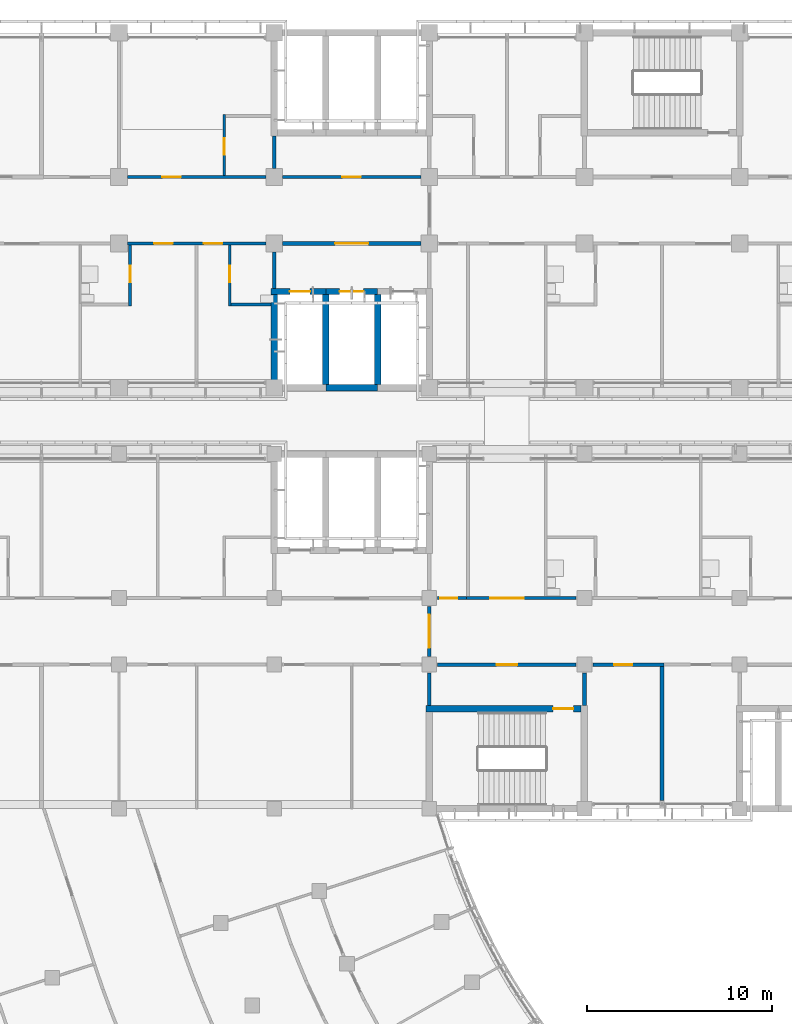
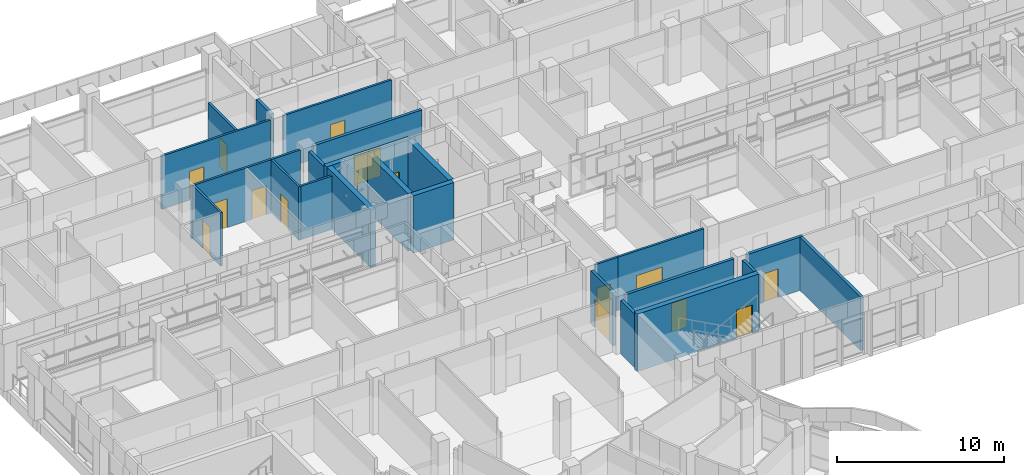
# One storey, part 75 of 137: 25 walls, 16 doors, 16 openings.
"""IFC4 building model written with IfcOpenShell, lengths in metres."""

from ifc_helpers import new_model, si_unit, direction, frame, frame_2d, origin, place, context, subcontext, project, spatial, rectangle, extrude, material, layer, layer_set, type_object, element, fill, save


model = new_model("IFC4")

# Units and contexts
model_context = context("Model", 3, precision=1e-05, world=origin(), true_north=direction((0.0, 1.0)))
body_context = subcontext(model_context, "Body", "Model", "MODEL_VIEW")
ifc_project = project(units=[si_unit("LENGTHUNIT", "METRE"), si_unit("AREAUNIT", "SQUARE_METRE"), si_unit("VOLUMEUNIT", "CUBIC_METRE"), si_unit("PLANEANGLEUNIT", "RADIAN"), si_unit("MASSUNIT", "GRAM", prefix="KILO")], contexts=[model_context])

# Site, building, storey
site_placement = place(None, origin())
site = spatial("IfcSite", under=ifc_project, at=site_placement, CompositionType="ELEMENT")
building_placement = place(site_placement, origin())
building = spatial("IfcBuilding", under=site, at=building_placement, Name="Bougainvillea Quay General Hospital", CompositionType="ELEMENT")
storey_placement = place(building_placement, frame((0.0, 0.0, 16.800048828125)))
storey = spatial("IfcBuildingStorey", under=building, at=storey_placement, Name="L03", CompositionType="ELEMENT", Elevation=16.800048828125)

# Wall, opening, door
ifc_material_1 = material(Name="Gypsum board partition on steel studs, insulated", Category="steel")
ifc_layer_1 = layer(ifc_material_1, 0.14990234375)
ifc_layer_set_1 = layer_set([ifc_layer_1], Name="Gypsum board partition on steel studs, insulated")
wall_type_1 = type_object("IfcWallType", Name="Partition 150 Gypsum board partition", PredefinedType="PARTITIONING", material=ifc_layer_set_1)
wall_1_placement = place(storey_placement, frame((59.39990234375, 144.824951171875, 0.0), z_axis=(0.0, 0.0, 1.0), x_axis=(0.0, 1.0, 0.0)))
wall_1 = element("IfcWall", 1, at=wall_1_placement, inside=storey, type_object=wall_type_1, Name="Partition 150 mm", PredefinedType="PARTITIONING", context=body_context, shape_type="SweptSolid", body=[
    extrude(rectangle(XDim=3.300048828125, YDim=0.14990234375, at=frame_2d((1.64990234375, 0.0))), origin(), (0.0, 0.0, 1.0), 3.89990234375),
])
opening_1_placement = place(wall_1_placement, frame((1.27490234375, 0.0, 0.0)))
opening_1 = element("IfcOpeningElement", 2, at=opening_1_placement, cuts=wall_1, Name="Opening L03.010", PredefinedType="OPENING", context=body_context, shape_type="SweptSolid", body=[
    extrude(rectangle(XDim=0.89990234375, YDim=2.10009765625, at=frame_2d((0.449951171875, 1.050048828125))), frame((0.0, 0.0849609375, 0.0), z_axis=(0.0, -1.0, 0.0), x_axis=(1.0, 0.0, 0.0)), (0.0, 0.0, 1.0), 0.169921875),
])
ifc_material_2 = material(Name="Solid-core timber door leaf in steel frame", Category="steel")
door_type_1 = type_object("IfcDoorType", Name="Single leaf door 900x2100", OperationType="NOTDEFINED", PredefinedType="DOOR", material=ifc_material_2)
door_1_placement = place(opening_1_placement, origin())
door_1 = element("IfcDoor", 3, at=door_1_placement, inside=storey, type_object=door_type_1, Name="DT07 L03.010", OperationType="SINGLE_SWING_RIGHT", OverallHeight=2.10009765625, OverallWidth=0.89990234375, PredefinedType="DOOR", context=body_context, shape_type="SweptSolid", body=[
    extrude(rectangle(XDim=0.89990234375, YDim=2.10009765625, at=frame_2d((0.449951171875, 1.050048828125))), frame((0.0, 0.02490234375, 0.0), z_axis=(0.0, -1.0, 0.0), x_axis=(1.0, 0.0, 0.0)), (0.0, 0.0, 1.0), 0.050048828125),
])
fill(opening_1, door_1)

wall_2_placement = place(storey_placement, frame((64.5, 151.875, 0.0), z_axis=(0.0, 0.0, 1.0), x_axis=(0.0, 1.0, 0.0)))
wall_2 = element("IfcWall", 4, at=wall_2_placement, inside=storey, type_object=wall_type_1, Name="Partition 150 mm", PredefinedType="PARTITIONING", context=body_context, shape_type="SweptSolid", body=[
    extrude(rectangle(XDim=3.300048828125, YDim=0.14990234375, at=frame_2d((1.64990234375, 0.0))), origin(), (0.0, 0.0, 1.0), 3.89990234375),
])
opening_2_placement = place(wall_2_placement, frame((1.125, 0.0, 0.0)))
opening_2 = element("IfcOpeningElement", 5, at=opening_2_placement, cuts=wall_2, Name="Opening L03.015", PredefinedType="OPENING", context=body_context, shape_type="SweptSolid", body=[
    extrude(rectangle(XDim=0.89990234375, YDim=2.10009765625, at=frame_2d((0.449951171875, 1.050048828125))), frame((0.0, 0.0849609375, 0.0), z_axis=(0.0, -1.0, 0.0), x_axis=(1.0, 0.0, 0.0)), (0.0, 0.0, 1.0), 0.169921875),
])
door_2_placement = place(opening_2_placement, frame((0.89990234375, 0.0, 0.0), z_axis=(0.0, 0.0, 1.0), x_axis=(-1.0, 0.0, 0.0)))
door_2 = element("IfcDoor", 6, at=door_2_placement, inside=storey, type_object=door_type_1, Name="DT07 L03.015", OperationType="SINGLE_SWING_RIGHT", OverallHeight=2.10009765625, OverallWidth=0.89990234375, PredefinedType="DOOR", context=body_context, shape_type="SweptSolid", body=[
    extrude(rectangle(XDim=0.89990234375, YDim=2.10009765625, at=frame_2d((0.449951171875, 1.050048828125))), frame((0.0, 0.02490234375, 0.0), z_axis=(0.0, -1.0, 0.0), x_axis=(1.0, 0.0, 0.0)), (0.0, 0.0, 1.0), 0.050048828125),
])
fill(opening_2, door_2)

wall_3_placement = place(storey_placement, frame((64.800048828125, 144.824951171875, 0.0), z_axis=(0.0, 0.0, 1.0), x_axis=(0.0, 1.0, 0.0)))
wall_3 = element("IfcWall", 7, at=wall_3_placement, inside=storey, type_object=wall_type_1, Name="Partition 150 mm", PredefinedType="PARTITIONING", context=body_context, shape_type="SweptSolid", body=[
    extrude(rectangle(XDim=3.300048828125, YDim=0.14990234375, at=frame_2d((1.64990234375, 0.0))), origin(), (0.0, 0.0, 1.0), 3.89990234375),
])
opening_3_placement = place(wall_3_placement, frame((1.27490234375, 0.0, 0.0)))
opening_3 = element("IfcOpeningElement", 8, at=opening_3_placement, cuts=wall_3, Name="Opening L03.012", PredefinedType="OPENING", context=body_context, shape_type="SweptSolid", body=[
    extrude(rectangle(XDim=0.89990234375, YDim=2.10009765625, at=frame_2d((0.449951171875, 1.050048828125))), frame((0.0, 0.0849609375, 0.0), z_axis=(0.0, -1.0, 0.0), x_axis=(1.0, 0.0, 0.0)), (0.0, 0.0, 1.0), 0.169921875),
])
door_3_placement = place(opening_3_placement, frame((0.89990234375, 0.0, 0.0), z_axis=(0.0, 0.0, 1.0), x_axis=(-1.0, 0.0, 0.0)))
door_3 = element("IfcDoor", 9, at=door_3_placement, inside=storey, type_object=door_type_1, Name="DT07 L03.012", OperationType="SINGLE_SWING_LEFT", OverallHeight=2.10009765625, OverallWidth=0.89990234375, PredefinedType="DOOR", context=body_context, shape_type="SweptSolid", body=[
    extrude(rectangle(XDim=0.89990234375, YDim=2.10009765625, at=frame_2d((0.449951171875, 1.050048828125))), frame((0.0, 0.02490234375, 0.0), z_axis=(0.0, -1.0, 0.0), x_axis=(1.0, 0.0, 0.0)), (0.0, 0.0, 1.0), 0.050048828125),
])
fill(opening_3, door_3)

# Wall
wall_4_placement = place(storey_placement, frame((64.875, 144.89990234375, 0.0), z_axis=(0.0, 0.0, 1.0), x_axis=(1.0, 0.0, 0.0)))
element("IfcWall", 10, at=wall_4_placement, inside=storey, type_object=wall_type_1, Name="Partition 150 mm", PredefinedType="PARTITIONING", context=body_context, shape_type="SweptSolid", body=[
    extrude(rectangle(XDim=2.14990234375, YDim=0.14990234375, at=frame_2d((1.074951171875, 0.0))), origin(), (0.0, 0.0, 1.0), 3.89990234375),
])

# Wall, opening, door
ifc_layer_2 = layer(ifc_material_1, 0.14990234375)
ifc_layer_set_2 = layer_set([ifc_layer_2], Name="Gypsum board partition on steel studs, insulated")
wall_type_2 = type_object("IfcWallType", Name="Partition 150 Gypsum board partition EI 30", PredefinedType="PARTITIONING", material=ifc_layer_set_2)
wall_5_placement = place(storey_placement, frame((83.550048828125, 129.0, 0.0), z_axis=(0.0, 0.0, 1.0), x_axis=(-1.0, 0.0, 0.0)))
wall_5 = element("IfcWall", 11, at=wall_5_placement, inside=storey, type_object=wall_type_2, Name="Partition 150 mm EI 30", PredefinedType="PARTITIONING", context=body_context, shape_type="SweptSolid", body=[
    extrude(rectangle(XDim=5.925048828125, YDim=0.14990234375, at=frame_2d((2.96240234375, 0.0))), origin(), (0.0, 0.0, 1.0), 3.89990234375),
])
opening_4_placement = place(wall_5_placement, frame((2.85009765625, 0.0, 0.0)))
opening_4 = element("IfcOpeningElement", 12, at=opening_4_placement, cuts=wall_5, Name="Opening L03.131", PredefinedType="OPENING", context=body_context, shape_type="SweptSolid", body=[
    extrude(rectangle(XDim=1.800048828125, YDim=2.10009765625, at=frame_2d((0.89990234375, 1.050048828125))), frame((0.0, 0.0849609375, 0.0), z_axis=(0.0, -1.0, 0.0), x_axis=(1.0, 0.0, 0.0)), (0.0, 0.0, 1.0), 0.169921875),
])
ifc_material_3 = material(Name="Solid-core timber door leaves in steel frame", Category="steel")
door_type_2 = type_object("IfcDoorType", Name="Double leaf door 1800x2100 FD30S", OperationType="DOUBLE_DOOR_SINGLE_SWING", PredefinedType="DOOR", material=ifc_material_3)
door_4_placement = place(opening_4_placement, frame((1.800048828125, 0.0, 0.0), z_axis=(0.0, 0.0, 1.0), x_axis=(-1.0, 0.0, 0.0)))
door_4 = element("IfcDoor", 13, at=door_4_placement, inside=storey, type_object=door_type_2, Name="DT17 L03.131", OperationType="DOUBLE_DOOR_SINGLE_SWING", OverallHeight=2.10009765625, OverallWidth=1.800048828125, PredefinedType="DOOR", context=body_context, shape_type="SweptSolid", body=[
    extrude(rectangle(XDim=1.800048828125, YDim=2.10009765625, at=frame_2d((0.89990234375, 1.050048828125))), frame((0.0, 0.02490234375, 0.0), z_axis=(0.0, -1.0, 0.0), x_axis=(1.0, 0.0, 0.0)), (0.0, 0.0, 1.0), 0.050048828125),
])
fill(opening_4, door_4)

# Wall, openings, doors
wall_6_placement = place(storey_placement, frame((66.75, 148.199951171875, 0.0), z_axis=(0.0, 0.0, 1.0), x_axis=(-1.0, 0.0, 0.0)))
wall_6 = element("IfcWall", 14, at=wall_6_placement, inside=storey, type_object=wall_type_2, Name="Partition 150 mm EI 30", PredefinedType="PARTITIONING", context=body_context, shape_type="SweptSolid", body=[
    extrude(rectangle(XDim=7.5, YDim=0.14990234375, at=frame_2d((3.75, 0.0))), origin(), (0.0, 0.0, 1.0), 3.89990234375),
])
opening_5_placement = place(wall_6_placement, frame((5.050048828125, 0.0, 0.0)))
opening_5 = element("IfcOpeningElement", 15, at=opening_5_placement, cuts=wall_6, Name="Opening L03.009", PredefinedType="OPENING", context=body_context, shape_type="SweptSolid", body=[
    extrude(rectangle(XDim=1.0, YDim=2.10009765625, at=frame_2d((0.5, 1.050048828125))), frame((0.0, 0.0849609375, 0.0), z_axis=(0.0, -1.0, 0.0), x_axis=(1.0, 0.0, 0.0)), (0.0, 0.0, 1.0), 0.169921875),
])
opening_6_placement = place(wall_6_placement, frame((2.35009765625, 0.0, 0.0)))
opening_6 = element("IfcOpeningElement", 16, at=opening_6_placement, cuts=wall_6, Name="Opening L03.011", PredefinedType="OPENING", context=body_context, shape_type="SweptSolid", body=[
    extrude(rectangle(XDim=1.0, YDim=2.10009765625, at=frame_2d((0.5, 1.050048828125))), frame((0.0, 0.0849609375, 0.0), z_axis=(0.0, -1.0, 0.0), x_axis=(1.0, 0.0, 0.0)), (0.0, 0.0, 1.0), 0.169921875),
])
door_type_3 = type_object("IfcDoorType", Name="Single leaf door 1000x2100 FD30S", OperationType="NOTDEFINED", PredefinedType="DOOR", material=ifc_material_2)
door_5_placement = place(opening_5_placement, origin())
door_5 = element("IfcDoor", 17, at=door_5_placement, inside=storey, type_object=door_type_3, Name="DT15 L03.009", OperationType="SINGLE_SWING_RIGHT", OverallHeight=2.10009765625, OverallWidth=1.0, PredefinedType="DOOR", context=body_context, shape_type="SweptSolid", body=[
    extrude(rectangle(XDim=1.0, YDim=2.10009765625, at=frame_2d((0.5, 1.050048828125))), frame((0.0, 0.02490234375, 0.0), z_axis=(0.0, -1.0, 0.0), x_axis=(1.0, 0.0, 0.0)), (0.0, 0.0, 1.0), 0.050048828125),
])
fill(opening_5, door_5)
door_6_placement = place(opening_6_placement, origin())
door_6 = element("IfcDoor", 18, at=door_6_placement, inside=storey, type_object=door_type_3, Name="DT15 L03.011", OperationType="SINGLE_SWING_LEFT", OverallHeight=2.10009765625, OverallWidth=1.0, PredefinedType="DOOR", context=body_context, shape_type="SweptSolid", body=[
    extrude(rectangle(XDim=1.0, YDim=2.10009765625, at=frame_2d((0.5, 1.050048828125))), frame((0.0, 0.02490234375, 0.0), z_axis=(0.0, -1.0, 0.0), x_axis=(1.0, 0.0, 0.0)), (0.0, 0.0, 1.0), 0.050048828125),
])
fill(opening_6, door_6)

# Wall, opening, door
wall_7_placement = place(storey_placement, frame((59.25, 151.800048828125, 0.0), z_axis=(0.0, 0.0, 1.0), x_axis=(1.0, 0.0, 0.0)))
wall_7 = element("IfcWall", 19, at=wall_7_placement, inside=storey, type_object=wall_type_2, Name="Partition 150 mm EI 30", PredefinedType="PARTITIONING", context=body_context, shape_type="SweptSolid", body=[
    extrude(rectangle(XDim=7.5, YDim=0.14990234375, at=frame_2d((3.75, 0.0))), origin(), (0.0, 0.0, 1.0), 3.89990234375),
])
opening_7_placement = place(wall_7_placement, frame((1.89990234375, 0.0, 0.0)))
opening_7 = element("IfcOpeningElement", 20, at=opening_7_placement, cuts=wall_7, Name="Opening L03.014", PredefinedType="OPENING", context=body_context, shape_type="SweptSolid", body=[
    extrude(rectangle(XDim=1.0, YDim=2.10009765625, at=frame_2d((0.5, 1.050048828125))), frame((0.0, 0.0849609375, 0.0), z_axis=(0.0, -1.0, 0.0), x_axis=(1.0, 0.0, 0.0)), (0.0, 0.0, 1.0), 0.169921875),
])
door_7_placement = place(opening_7_placement, origin())
door_7 = element("IfcDoor", 21, at=door_7_placement, inside=storey, type_object=door_type_3, Name="DT15 L03.014", OperationType="SINGLE_SWING_LEFT", OverallHeight=2.10009765625, OverallWidth=1.0, PredefinedType="DOOR", context=body_context, shape_type="SweptSolid", body=[
    extrude(rectangle(XDim=1.0, YDim=2.10009765625, at=frame_2d((0.5, 1.050048828125))), frame((0.0, 0.02490234375, 0.0), z_axis=(0.0, -1.0, 0.0), x_axis=(1.0, 0.0, 0.0)), (0.0, 0.0, 1.0), 0.050048828125),
])
fill(opening_7, door_7)

ifc_layer_3 = layer(ifc_material_1, 0.14990234375)
ifc_layer_set_3 = layer_set([ifc_layer_3], Name="Gypsum board partition on steel studs, insulated")
wall_type_3 = type_object("IfcWallType", Name="Partition 150 Gypsum board partition EI 60", PredefinedType="PARTITIONING", material=ifc_layer_set_3)
wall_8_placement = place(storey_placement, frame((67.64990234375, 151.800048828125, 0.0), z_axis=(0.0, 0.0, 1.0), x_axis=(1.0, 0.0, 0.0)))
wall_8 = element("IfcWall", 22, at=wall_8_placement, inside=storey, type_object=wall_type_3, Name="Partition 150 mm EI 60", PredefinedType="PARTITIONING", context=body_context, shape_type="SweptSolid", body=[
    extrude(rectangle(XDim=7.5, YDim=0.14990234375, at=frame_2d((3.75, 0.0))), origin(), (0.0, 0.0, 1.0), 3.89990234375),
])
opening_8_placement = place(wall_8_placement, frame((3.25, 0.0, 0.0)))
opening_8 = element("IfcOpeningElement", 23, at=opening_8_placement, cuts=wall_8, Name="Opening L03.074", PredefinedType="OPENING", context=body_context, shape_type="SweptSolid", body=[
    extrude(rectangle(XDim=1.0, YDim=2.10009765625, at=frame_2d((0.5, 1.050048828125))), frame((0.0, 0.0849609375, 0.0), z_axis=(0.0, -1.0, 0.0), x_axis=(1.0, 0.0, 0.0)), (0.0, 0.0, 1.0), 0.169921875),
])
ifc_material_4 = material(Name="Steel fire door leaf in steel frame", Category="steel")
door_type_4 = type_object("IfcDoorType", Name="Steel single leaf door 1000x2100 FD60", OperationType="NOTDEFINED", PredefinedType="DOOR", material=ifc_material_4)
door_8_placement = place(opening_8_placement, origin())
door_8 = element("IfcDoor", 24, at=door_8_placement, inside=storey, type_object=door_type_4, Name="DT10 L03.074", OperationType="SINGLE_SWING_LEFT", OverallHeight=2.10009765625, OverallWidth=1.0, PredefinedType="DOOR", context=body_context, shape_type="SweptSolid", body=[
    extrude(rectangle(XDim=1.0, YDim=2.10009765625, at=frame_2d((0.5, 1.050048828125))), frame((0.0, 0.02490234375, 0.0), z_axis=(0.0, -1.0, 0.0), x_axis=(1.0, 0.0, 0.0)), (0.0, 0.0, 1.0), 0.050048828125),
])
fill(opening_8, door_8)

wall_9_placement = place(storey_placement, frame((76.050048828125, 129.0, 0.0), z_axis=(0.0, 0.0, 1.0), x_axis=(1.0, 0.0, 0.0)))
wall_9 = element("IfcWall", 25, at=wall_9_placement, inside=storey, type_object=wall_type_3, Name="Partition 150 mm EI 60", PredefinedType="PARTITIONING", context=body_context, shape_type="SweptSolid", body=[
    extrude(rectangle(XDim=1.574951171875, YDim=0.14990234375, at=frame_2d((0.78759765625, 0.0))), origin(), (0.0, 0.0, 1.0), 3.89990234375),
])
opening_9_placement = place(wall_9_placement, frame((0.14990234375, 0.0, 0.0)))
opening_9 = element("IfcOpeningElement", 26, at=opening_9_placement, cuts=wall_9, Name="Opening L03.089", PredefinedType="OPENING", context=body_context, shape_type="SweptSolid", body=[
    extrude(rectangle(XDim=0.89990234375, YDim=2.10009765625, at=frame_2d((0.449951171875, 1.050048828125))), frame((0.0, 0.0849609375, 0.0), z_axis=(0.0, -1.0, 0.0), x_axis=(1.0, 0.0, 0.0)), (0.0, 0.0, 1.0), 0.169921875),
])
door_type_5 = type_object("IfcDoorType", Name="Single leaf door 900x2100 FD60", OperationType="NOTDEFINED", PredefinedType="DOOR", material=ifc_material_2)
door_9_placement = place(opening_9_placement, origin())
door_9 = element("IfcDoor", 27, at=door_9_placement, inside=storey, type_object=door_type_5, Name="DT18 L03.089", OperationType="SINGLE_SWING_LEFT", OverallHeight=2.10009765625, OverallWidth=0.89990234375, PredefinedType="DOOR", context=body_context, shape_type="SweptSolid", body=[
    extrude(rectangle(XDim=0.89990234375, YDim=2.10009765625, at=frame_2d((0.449951171875, 1.050048828125))), frame((0.0, 0.02490234375, 0.0), z_axis=(0.0, -1.0, 0.0), x_axis=(1.0, 0.0, 0.0)), (0.0, 0.0, 1.0), 0.050048828125),
])
fill(opening_9, door_9)

ifc_material_5 = material(Name="Fire-rated autoclaved aerated block wall, plastered")
ifc_layer_4 = layer(ifc_material_5, 0.199951171875)
ifc_layer_set_4 = layer_set([ifc_layer_4], Name="Fire-rated autoclaved aerated block wall, plastered")
wall_type_4 = type_object("IfcWallType", Name="Partition 200 Fire-rated autoclaved aerated block wall EI 120", PredefinedType="SOLIDWALL", material=ifc_layer_set_4)
wall_10_placement = place(storey_placement, frame((75.60009765625, 128.550048828125, 0.0), z_axis=(0.0, 0.0, 1.0), x_axis=(0.0, -1.0, 0.0)))
wall_10 = element("IfcWall", 28, at=wall_10_placement, inside=storey, type_object=wall_type_4, Name="Partition 200 mm EI 120", PredefinedType="SOLIDWALL", context=body_context, shape_type="SweptSolid", body=[
    extrude(rectangle(XDim=2.699951171875, YDim=0.199951171875, at=frame_2d((1.35009765625, 0.0))), origin(), (0.0, 0.0, 1.0), 3.89990234375),
])
opening_10_placement = place(wall_10_placement, frame((0.449951171875, 0.0, 0.0)))
opening_10 = element("IfcOpeningElement", 29, at=opening_10_placement, cuts=wall_10, Name="Opening L03.075", PredefinedType="OPENING", context=body_context, shape_type="SweptSolid", body=[
    extrude(rectangle(XDim=1.800048828125, YDim=2.10009765625, at=frame_2d((0.89990234375, 1.050048828125))), frame((0.0, 0.10986328125, 0.0), z_axis=(0.0, -1.0, 0.0), x_axis=(1.0, 0.0, 0.0)), (0.0, 0.0, 1.0), 0.219970703125),
])
ifc_material_6 = material(Name="Steel fire door leaves in steel frame", Category="steel")
door_type_6 = type_object("IfcDoorType", Name="Steel double leaf door 1800x2100 FD90", OperationType="DOUBLE_DOOR_SINGLE_SWING", PredefinedType="DOOR", material=ifc_material_6)
door_10_placement = place(opening_10_placement, origin())
door_10 = element("IfcDoor", 30, at=door_10_placement, inside=storey, type_object=door_type_6, Name="DT03 L03.075", OperationType="DOUBLE_DOOR_SINGLE_SWING", OverallHeight=2.10009765625, OverallWidth=1.800048828125, PredefinedType="DOOR", context=body_context, shape_type="SweptSolid", body=[
    extrude(rectangle(XDim=1.800048828125, YDim=2.10009765625, at=frame_2d((0.89990234375, 1.050048828125))), frame((0.0, 0.02490234375, 0.0), z_axis=(0.0, -1.0, 0.0), x_axis=(1.0, 0.0, 0.0)), (0.0, 0.0, 1.0), 0.050048828125),
])
fill(opening_10, door_10)

# Wall
wall_11_placement = place(storey_placement, frame((75.60009765625, 124.949951171875, 0.0), z_axis=(0.0, 0.0, 1.0), x_axis=(0.0, -1.0, 0.0)))
element("IfcWall", 31, at=wall_11_placement, inside=storey, type_object=wall_type_4, Name="Partition 200 mm EI 120", PredefinedType="SOLIDWALL", context=body_context, shape_type="SweptSolid", body=[
    extrude(rectangle(XDim=1.77490234375, YDim=0.199951171875, at=frame_2d((0.887451171875, 0.0))), origin(), (0.0, 0.0, 1.0), 3.89990234375),
])

# Wall, opening, door
wall_12_placement = place(storey_placement, frame((76.050048828125, 125.39990234375, 0.0), z_axis=(0.0, 0.0, 1.0), x_axis=(1.0, 0.0, 0.0)))
wall_12 = element("IfcWall", 32, at=wall_12_placement, inside=storey, type_object=wall_type_4, Name="Partition 200 mm EI 120", PredefinedType="SOLIDWALL", context=body_context, shape_type="SweptSolid", body=[
    extrude(rectangle(XDim=7.5, YDim=0.199951171875, at=frame_2d((3.75, 0.0))), origin(), (0.0, 0.0, 1.0), 3.89990234375),
])
opening_11_placement = place(wall_12_placement, frame((3.199951171875, 0.0, 0.0)))
opening_11 = element("IfcOpeningElement", 33, at=opening_11_placement, cuts=wall_12, Name="Opening L03.208", PredefinedType="OPENING", context=body_context, shape_type="SweptSolid", body=[
    extrude(rectangle(XDim=1.10009765625, YDim=2.10009765625, at=frame_2d((0.550048828125, 1.050048828125))), frame((0.0, 0.10986328125, 0.0), z_axis=(0.0, -1.0, 0.0), x_axis=(1.0, 0.0, 0.0)), (0.0, 0.0, 1.0), 0.219970703125),
])
door_type_7 = type_object("IfcDoorType", Name="Steel single leaf door 1100x2100 FD60", OperationType="NOTDEFINED", PredefinedType="DOOR", material=ifc_material_4)
door_11_placement = place(opening_11_placement, frame((1.10009765625, 0.0, 0.0), z_axis=(0.0, 0.0, 1.0), x_axis=(-1.0, 0.0, 0.0)))
door_11 = element("IfcDoor", 34, at=door_11_placement, inside=storey, type_object=door_type_7, Name="DT04 L03.208", OperationType="SINGLE_SWING_LEFT", OverallHeight=2.10009765625, OverallWidth=1.10009765625, PredefinedType="DOOR", context=body_context, shape_type="SweptSolid", body=[
    extrude(rectangle(XDim=1.10009765625, YDim=2.10009765625, at=frame_2d((0.550048828125, 1.050048828125))), frame((0.0, 0.02490234375, 0.0), z_axis=(0.0, -1.0, 0.0), x_axis=(1.0, 0.0, 0.0)), (0.0, 0.0, 1.0), 0.050048828125),
])
fill(opening_11, door_11)

wall_13_placement = place(storey_placement, frame((84.449951171875, 125.39990234375, 0.0), z_axis=(0.0, 0.0, 1.0), x_axis=(1.0, 0.0, 0.0)))
wall_13 = element("IfcWall", 35, at=wall_13_placement, inside=storey, type_object=wall_type_4, Name="Partition 200 mm EI 120", PredefinedType="SOLIDWALL", context=body_context, shape_type="SweptSolid", body=[
    extrude(rectangle(XDim=3.85009765625, YDim=0.199951171875, at=frame_2d((1.925048828125, 0.0))), origin(), (0.0, 0.0, 1.0), 3.89990234375),
])
opening_12_placement = place(wall_13_placement, frame((1.14990234375, 0.0, 0.0)))
opening_12 = element("IfcOpeningElement", 36, at=opening_12_placement, cuts=wall_13, Name="Opening L03.133", PredefinedType="OPENING", context=body_context, shape_type="SweptSolid", body=[
    extrude(rectangle(XDim=1.0, YDim=2.10009765625, at=frame_2d((0.5, 1.050048828125))), frame((0.0, 0.10986328125, 0.0), z_axis=(0.0, -1.0, 0.0), x_axis=(1.0, 0.0, 0.0)), (0.0, 0.0, 1.0), 0.219970703125),
])
door_type_8 = type_object("IfcDoorType", Name="Steel single leaf door 1000x2100 FD90", OperationType="NOTDEFINED", PredefinedType="DOOR", material=ifc_material_4)
door_12_placement = place(opening_12_placement, frame((1.0, 0.0, 0.0), z_axis=(0.0, 0.0, 1.0), x_axis=(-1.0, 0.0, 0.0)))
door_12 = element("IfcDoor", 37, at=door_12_placement, inside=storey, type_object=door_type_8, Name="DT11 L03.133", OperationType="SINGLE_SWING_RIGHT", OverallHeight=2.10009765625, OverallWidth=1.0, PredefinedType="DOOR", context=body_context, shape_type="SweptSolid", body=[
    extrude(rectangle(XDim=1.0, YDim=2.10009765625, at=frame_2d((0.5, 1.050048828125))), frame((0.0, 0.02490234375, 0.0), z_axis=(0.0, -1.0, 0.0), x_axis=(1.0, 0.0, 0.0)), (0.0, 0.0, 1.0), 0.050048828125),
])
fill(opening_12, door_12)

# Wall
wall_14_placement = place(storey_placement, frame((84.0, 123.175048828125, 0.0), z_axis=(0.0, 0.0, 1.0), x_axis=(0.0, 1.0, 0.0)))
element("IfcWall", 38, at=wall_14_placement, inside=storey, type_object=wall_type_4, Name="Partition 200 mm EI 120", PredefinedType="SOLIDWALL", context=body_context, shape_type="SweptSolid", body=[
    extrude(rectangle(XDim=1.77490234375, YDim=0.199951171875, at=frame_2d((0.887451171875, 0.0))), origin(), (0.0, 0.0, 1.0), 3.89990234375),
])

# Wall, opening, door
wall_15_placement = place(storey_placement, frame((67.64990234375, 148.199951171875, 0.0), z_axis=(0.0, 0.0, 1.0), x_axis=(1.0, 0.0, 0.0)))
wall_15 = element("IfcWall", 39, at=wall_15_placement, inside=storey, type_object=wall_type_4, Name="Partition 200 mm EI 120", PredefinedType="SOLIDWALL", context=body_context, shape_type="SweptSolid", body=[
    extrude(rectangle(XDim=7.5, YDim=0.199951171875, at=frame_2d((3.75, 0.0))), origin(), (0.0, 0.0, 1.0), 3.89990234375),
])
opening_13_placement = place(wall_15_placement, frame((2.85009765625, 0.0, 0.0)))
opening_13 = element("IfcOpeningElement", 40, at=opening_13_placement, cuts=wall_15, Name="Opening L03.071", PredefinedType="OPENING", context=body_context, shape_type="SweptSolid", body=[
    extrude(rectangle(XDim=1.800048828125, YDim=2.10009765625, at=frame_2d((0.89990234375, 1.050048828125))), frame((0.0, 0.10986328125, 0.0), z_axis=(0.0, -1.0, 0.0), x_axis=(1.0, 0.0, 0.0)), (0.0, 0.0, 1.0), 0.219970703125),
])
door_type_9 = type_object("IfcDoorType", Name="Steel double leaf door 1800x2100 FD60", OperationType="DOUBLE_DOOR_SINGLE_SWING", PredefinedType="DOOR", material=ifc_material_6)
door_13_placement = place(opening_13_placement, frame((1.800048828125, 0.0, 0.0), z_axis=(0.0, 0.0, 1.0), x_axis=(-1.0, 0.0, 0.0)))
door_13 = element("IfcDoor", 41, at=door_13_placement, inside=storey, type_object=door_type_9, Name="DT05 L03.071", OperationType="DOUBLE_DOOR_SINGLE_SWING", OverallHeight=2.10009765625, OverallWidth=1.800048828125, PredefinedType="DOOR", context=body_context, shape_type="SweptSolid", body=[
    extrude(rectangle(XDim=1.800048828125, YDim=2.10009765625, at=frame_2d((0.89990234375, 1.050048828125))), frame((0.0, 0.02490234375, 0.0), z_axis=(0.0, -1.0, 0.0), x_axis=(1.0, 0.0, 0.0)), (0.0, 0.0, 1.0), 0.050048828125),
])
fill(opening_13, door_13)

# Walls
wall_16_placement = place(storey_placement, frame((88.199951171875, 118.050048828125, 0.0), z_axis=(0.0, 0.0, 1.0), x_axis=(0.0, 1.0, 0.0)))
element("IfcWall", 42, at=wall_16_placement, inside=storey, type_object=wall_type_4, Name="Partition 200 mm EI 120", PredefinedType="SOLIDWALL", context=body_context, shape_type="SweptSolid", body=[
    extrude(rectangle(XDim=7.25, YDim=0.199951171875, at=frame_2d((3.625, 0.0))), origin(), (0.0, 0.0, 1.0), 3.89990234375),
])
wall_17_placement = place(storey_placement, frame((67.199951171875, 145.77490234375, 0.0), z_axis=(0.0, 0.0, 1.0), x_axis=(0.0, 1.0, 0.0)))
element("IfcWall", 43, at=wall_17_placement, inside=storey, type_object=wall_type_4, Name="Partition 200 mm EI 120", PredefinedType="SOLIDWALL", context=body_context, shape_type="SweptSolid", body=[
    extrude(rectangle(XDim=1.97509765625, YDim=0.199951171875, at=frame_2d((0.987548828125, 0.0))), origin(), (0.0, 0.0, 1.0), 3.89990234375),
])
ifc_layer_5 = layer(ifc_material_5, 0.199951171875)
ifc_layer_set_5 = layer_set([ifc_layer_5], Name="Fire-rated autoclaved aerated block wall, plastered")
wall_type_5 = type_object("IfcWallType", Name="Partition 200 Fire-rated autoclaved aerated block wall EI 60", PredefinedType="SOLIDWALL", material=ifc_layer_set_5)
wall_18_placement = place(storey_placement, frame((67.199951171875, 152.25, 0.0), z_axis=(0.0, 0.0, 1.0), x_axis=(0.0, 1.0, 0.0)))
element("IfcWall", 44, at=wall_18_placement, inside=storey, type_object=wall_type_5, Name="Partition 200 mm EI 60", PredefinedType="SOLIDWALL", context=body_context, shape_type="SweptSolid", body=[
    extrude(rectangle(XDim=1.77490234375, YDim=0.199951171875, at=frame_2d((0.887451171875, 0.0))), origin(), (0.0, 0.0, 1.0), 3.89990234375),
])

# Wall, opening, door
ifc_material_7 = material(Name="Concrete C40", Category="concrete")
ifc_layer_6 = layer(ifc_material_7, 0.35009765625)
ifc_layer_set_6 = layer_set([ifc_layer_6], Name="Concrete C40")
wall_type_6 = type_object("IfcWallType", Name="RC SHEAR WALL 350 C40", PredefinedType="SHEAR", material=ifc_layer_set_6)
wall_19_placement = place(storey_placement, frame((67.02490234375, 145.60009765625, 0.0), z_axis=(0.0, 0.0, 1.0), x_axis=(1.0, 0.0, 0.0)))
wall_19 = element("IfcWall", 45, at=wall_19_placement, inside=storey, type_object=wall_type_6, Name="Shear wall L03", PredefinedType="SHEAR", context=body_context, shape_type="SweptSolid", body=[
    extrude(rectangle(XDim=2.97509765625, YDim=0.35009765625, at=frame_2d((1.487548828125, 0.0))), origin(), (0.0, 0.0, 1.0), 4.199951171875),
])
opening_14_placement = place(wall_19_placement, frame((1.02490234375, 0.0, 0.0)))
opening_14 = element("IfcOpeningElement", 46, at=opening_14_placement, cuts=wall_19, Name="Opening LD-A1.1-L03", PredefinedType="OPENING", context=body_context, shape_type="SweptSolid", body=[
    extrude(rectangle(XDim=1.10009765625, YDim=2.10009765625, at=frame_2d((0.550048828125, 1.050048828125))), frame((0.0, 0.18505859375, 0.0), z_axis=(0.0, -1.0, 0.0), x_axis=(1.0, 0.0, 0.0)), (0.0, 0.0, 1.0), 0.3701171875),
])
ifc_material_8 = material(Name="Stainless steel centre-opening landing door", Category="steel")
door_type_10 = type_object("IfcDoorType", Name="Lift landing door 1100x2100 E 120", OperationType="DOUBLE_DOOR_SLIDING", PredefinedType="DOOR", material=ifc_material_8)
door_14_placement = place(opening_14_placement, origin())
door_14 = element("IfcDoor", 47, at=door_14_placement, inside=storey, type_object=door_type_10, Name="Lift landing door LB-A1-1 L03", OperationType="DOUBLE_DOOR_SLIDING", OverallHeight=2.10009765625, OverallWidth=1.10009765625, PredefinedType="DOOR", context=body_context, shape_type="SweptSolid", body=[
    extrude(rectangle(XDim=1.10009765625, YDim=2.10009765625, at=frame_2d((0.550048828125, 1.050048828125))), frame((0.0, 0.02490234375, 0.0), z_axis=(0.0, -1.0, 0.0), x_axis=(1.0, 0.0, 0.0)), (0.0, 0.0, 1.0), 0.050048828125),
])
fill(opening_14, door_14)

# Walls
wall_20_placement = place(storey_placement, frame((67.199951171875, 140.22509765625, 0.0), z_axis=(0.0, 0.0, 1.0), x_axis=(0.0, 1.0, 0.0)))
element("IfcWall", 48, at=wall_20_placement, inside=storey, type_object=wall_type_6, Name="Shear wall L03", PredefinedType="SHEAR", context=body_context, shape_type="SweptSolid", body=[
    extrude(rectangle(XDim=5.199951171875, YDim=0.35009765625, at=frame_2d((2.60009765625, 0.0))), origin(), (0.0, 0.0, 1.0), 4.199951171875),
])
wall_21_placement = place(storey_placement, frame((70.0, 140.39990234375, 0.0), z_axis=(0.0, 0.0, 1.0), x_axis=(1.0, 0.0, 0.0)))
element("IfcWall", 49, at=wall_21_placement, inside=storey, type_object=wall_type_6, Name="Shear wall L03", PredefinedType="SHEAR", context=body_context, shape_type="SweptSolid", body=[
    extrude(rectangle(XDim=2.800048828125, YDim=0.35009765625, at=frame_2d((1.39990234375, 0.0))), origin(), (0.0, 0.0, 1.0), 4.199951171875),
])
wall_22_placement = place(storey_placement, frame((70.0, 140.574951171875, 0.0), z_axis=(0.0, 0.0, 1.0), x_axis=(0.0, 1.0, 0.0)))
element("IfcWall", 50, at=wall_22_placement, inside=storey, type_object=wall_type_6, Name="Shear wall L03", PredefinedType="SHEAR", context=body_context, shape_type="SweptSolid", body=[
    extrude(rectangle(XDim=4.85009765625, YDim=0.35009765625, at=frame_2d((2.425048828125, 0.0))), origin(), (0.0, 0.0, 1.0), 4.199951171875),
])

# Wall, opening, door
wall_23_placement = place(storey_placement, frame((70.0, 145.60009765625, 0.0), z_axis=(0.0, 0.0, 1.0), x_axis=(1.0, 0.0, 0.0)))
wall_23 = element("IfcWall", 51, at=wall_23_placement, inside=storey, type_object=wall_type_6, Name="Shear wall L03", PredefinedType="SHEAR", context=body_context, shape_type="SweptSolid", body=[
    extrude(rectangle(XDim=2.800048828125, YDim=0.35009765625, at=frame_2d((1.39990234375, 0.0))), origin(), (0.0, 0.0, 1.0), 4.199951171875),
])
opening_15_placement = place(wall_23_placement, frame((0.75, 0.0, 0.0)))
opening_15 = element("IfcOpeningElement", 52, at=opening_15_placement, cuts=wall_23, Name="Opening LD-A1.2-L03", PredefinedType="OPENING", context=body_context, shape_type="SweptSolid", body=[
    extrude(rectangle(XDim=1.300048828125, YDim=2.10009765625, at=frame_2d((0.64990234375, 1.050048828125))), frame((0.0, 0.18505859375, 0.0), z_axis=(0.0, -1.0, 0.0), x_axis=(1.0, 0.0, 0.0)), (0.0, 0.0, 1.0), 0.3701171875),
])
door_type_11 = type_object("IfcDoorType", Name="Lift landing door 1300x2100 E 120", OperationType="DOUBLE_DOOR_SLIDING", PredefinedType="DOOR", material=ifc_material_8)
door_15_placement = place(opening_15_placement, origin())
door_15 = element("IfcDoor", 53, at=door_15_placement, inside=storey, type_object=door_type_11, Name="Lift landing door LB-A1-2 L03", OperationType="DOUBLE_DOOR_SLIDING", OverallHeight=2.10009765625, OverallWidth=1.300048828125, PredefinedType="DOOR", context=body_context, shape_type="SweptSolid", body=[
    extrude(rectangle(XDim=1.300048828125, YDim=2.10009765625, at=frame_2d((0.64990234375, 1.050048828125))), frame((0.0, 0.02490234375, 0.0), z_axis=(0.0, -1.0, 0.0), x_axis=(1.0, 0.0, 0.0)), (0.0, 0.0, 1.0), 0.050048828125),
])
fill(opening_15, door_15)

# Wall
wall_24_placement = place(storey_placement, frame((72.800048828125, 140.574951171875, 0.0), z_axis=(0.0, 0.0, 1.0), x_axis=(0.0, 1.0, 0.0)))
element("IfcWall", 54, at=wall_24_placement, inside=storey, type_object=wall_type_6, Name="Shear wall L03", PredefinedType="SHEAR", context=body_context, shape_type="SweptSolid", body=[
    extrude(rectangle(XDim=4.85009765625, YDim=0.35009765625, at=frame_2d((2.425048828125, 0.0))), origin(), (0.0, 0.0, 1.0), 4.199951171875),
])

# Wall, opening, door
wall_25_placement = place(storey_placement, frame((75.425048828125, 123.0, 0.0), z_axis=(0.0, 0.0, 1.0), x_axis=(1.0, 0.0, 0.0)))
wall_25 = element("IfcWall", 55, at=wall_25_placement, inside=storey, type_object=wall_type_6, Name="Shear wall L03", PredefinedType="SHEAR", context=body_context, shape_type="SweptSolid", body=[
    extrude(rectangle(XDim=8.39990234375, YDim=0.35009765625, at=frame_2d((4.199951171875, 0.0))), origin(), (0.0, 0.0, 1.0), 4.199951171875),
])
opening_16_placement = place(wall_25_placement, frame((6.875, 0.0, 0.0)))
opening_16 = element("IfcOpeningElement", 56, at=opening_16_placement, cuts=wall_25, Name="Opening L03.207", PredefinedType="OPENING", context=body_context, shape_type="SweptSolid", body=[
    extrude(rectangle(XDim=1.10009765625, YDim=2.10009765625, at=frame_2d((0.550048828125, 1.050048828125))), frame((0.0, 0.18505859375, 0.0), z_axis=(0.0, -1.0, 0.0), x_axis=(1.0, 0.0, 0.0)), (0.0, 0.0, 1.0), 0.3701171875),
])
door_16_placement = place(opening_16_placement, frame((1.10009765625, 0.0, 0.0), z_axis=(0.0, 0.0, 1.0), x_axis=(-1.0, 0.0, 0.0)))
door_16 = element("IfcDoor", 57, at=door_16_placement, inside=storey, type_object=door_type_7, Name="DT04 L03.207", OperationType="SINGLE_SWING_LEFT", OverallHeight=2.10009765625, OverallWidth=1.10009765625, PredefinedType="DOOR", context=body_context, shape_type="SweptSolid", body=[
    extrude(rectangle(XDim=1.10009765625, YDim=2.10009765625, at=frame_2d((0.550048828125, 1.050048828125))), frame((0.0, 0.02490234375, 0.0), z_axis=(0.0, -1.0, 0.0), x_axis=(1.0, 0.0, 0.0)), (0.0, 0.0, 1.0), 0.050048828125),
])
fill(opening_16, door_16)

save(model, "model.ifc")
